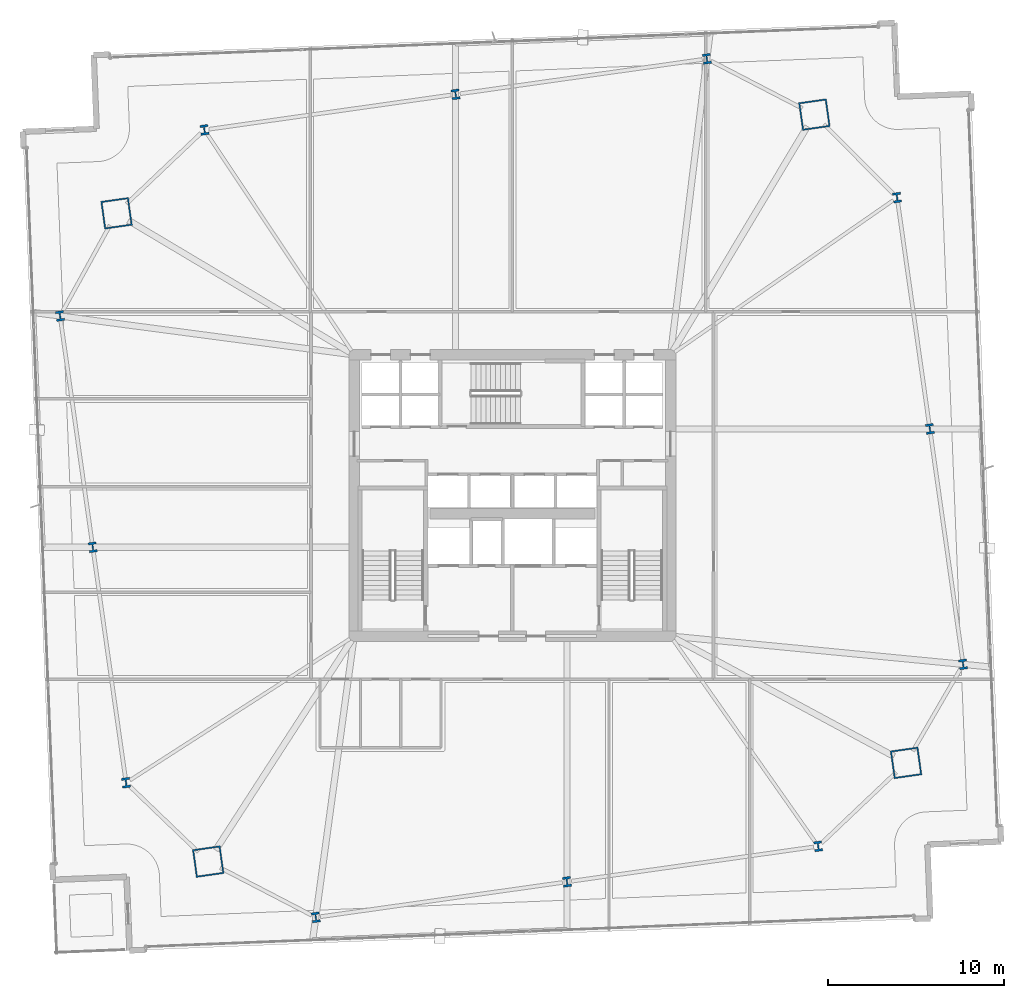
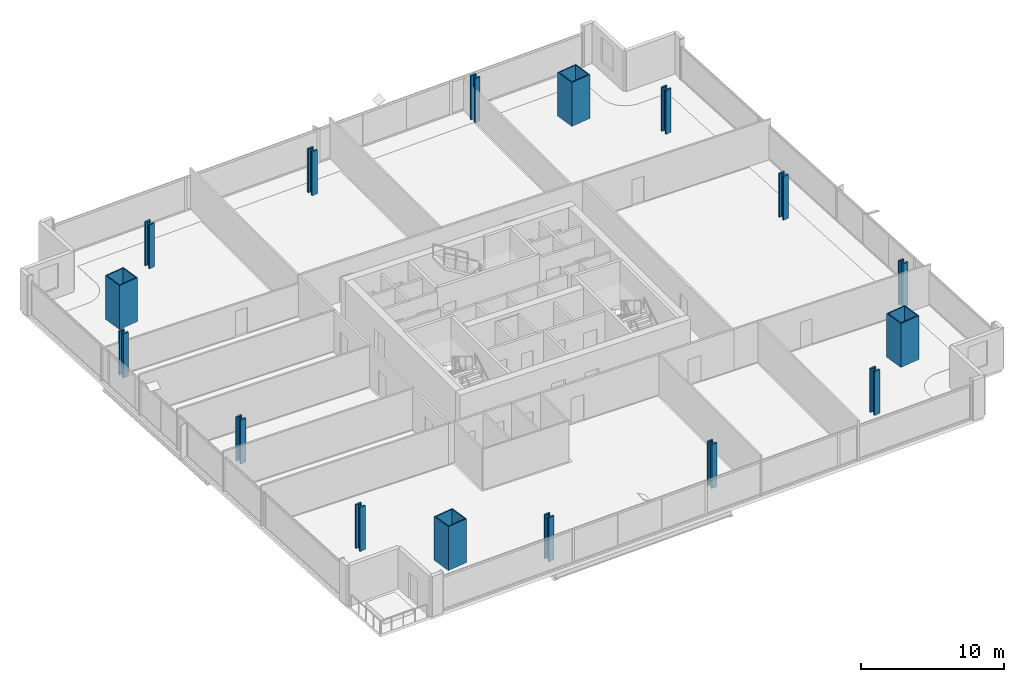
# One storey, part 1 of 32: 16 columns.
"""IFC4 building model written with IfcOpenShell, lengths in metres."""

from ifc_helpers import new_model, si_unit, direction, frame, origin, origin_2d, place, context, subcontext, project, spatial, hollow_rectangle, i_section, extrude, material, material_profile, profile_set, type_object, element, save


model = new_model("IFC4")

# Units and contexts
model_context = context("Model", 3, precision=1e-05, world=origin(), true_north=direction((0.0, 1.0)))
body_context = subcontext(model_context, "Body", "Model", "MODEL_VIEW")
ifc_project = project(units=[si_unit("LENGTHUNIT", "METRE"), si_unit("AREAUNIT", "SQUARE_METRE"), si_unit("VOLUMEUNIT", "CUBIC_METRE"), si_unit("PLANEANGLEUNIT", "RADIAN"), si_unit("MASSUNIT", "GRAM", prefix="KILO")], contexts=[model_context])

# Site, building, storey
site_placement = place(None, origin())
site = spatial("IfcSite", under=ifc_project, at=site_placement, CompositionType="ELEMENT")
building_placement = place(site_placement, origin())
building = spatial("IfcBuilding", under=site, at=building_placement, Name="Haldenkirk Collegiate Tower", CompositionType="ELEMENT")
storey_placement = place(building_placement, frame((0.0, 0.0, 36.449951171875)))
storey = spatial("IfcBuildingStorey", under=building, at=storey_placement, Name="L07", CompositionType="ELEMENT", Elevation=36.449951171875)

# Columns
ifc_material_1 = material(Name="Steel ASTM A913 Grade 65", Category="steel")
ifc_material_profile_1 = material_profile(ifc_material_1, i_section(OverallWidth=0.4541015625, OverallDepth=0.569091796875, WebThickness=0.077880859375, FlangeThickness=0.124755859375, at=origin_2d()), Name="W14X730")
ifc_profile_set_1 = profile_set([ifc_material_profile_1], Name="Steel ASTM A913 Grade 65")
column_type_1 = type_object("IfcColumnType", Name="COL-INT-W14X730", PredefinedType="COLUMN", material=ifc_profile_set_1)
for number, where, z_axis, x_axis, name in (
    (1, (24.815185546875, 1.997314453125, 0.0), (0.0, 0.0, 1.0), (0.990146240249, 0.140037219771, 0.0), "L07 perimeter gravity column PC-S1"),
    (2, (39.10888671875, 4.018798828125, 0.0), (0.0, 0.0, 1.0), (0.990146240249, 0.140037219771, 0.0), "L07 perimeter gravity column PC-S2"),
    (3, (53.402587890625, 6.040283203125, 0.0), (0.0, 0.0, 1.0), (0.990146240249, 0.140037219771, 0.0), "L07 perimeter gravity column PC-S3"),
    (4, (61.648193359375, 16.39306640625, 0.0), (0.0, 0.0, 1.0), (0.990146240249, 0.140037219771, 0.0), "L07 perimeter gravity column PC-E1"),
    (5, (59.75341796875, 29.788818359375, 0.0), (0.0, 0.0, 1.0), (0.990146240249, 0.140037219771, 0.0), "L07 perimeter gravity column PC-E2"),
    (6, (57.892333984375, 42.94873046875, 0.0), (0.0, 0.0, 1.0), (0.990146240249, 0.140037219771, 0.0), "L07 perimeter gravity column PC-E3"),
    (7, (47.06591796875, 50.844482421875, 0.0), (0.0, 0.0, 1.0), (0.990146240249, 0.140037219771, 0.0), "L07 perimeter gravity column PC-N1"),
    (8, (32.772216796875, 48.822998046875, 0.0), (0.0, 0.0, 1.0), (0.990146240249, 0.140037219771, 0.0), "L07 perimeter gravity column PC-N2"),
    (9, (18.478515625, 46.80126953125, 0.0), (0.0, 0.0, 1.0), (0.990146240249, 0.140037219771, 0.0), "L07 perimeter gravity column PC-N3"),
    (10, (10.26611328125, 36.212890625, 0.0), (0.0, 0.0, 1.0), (0.990146240249, 0.140037219771, 0.0), "L07 perimeter gravity column PC-W1"),
    (11, (12.12744140625, 23.052978515625, 0.0), (0.0, 0.0, 1.0), (0.990146240249, 0.140037219771, 0.0), "L07 perimeter gravity column PC-W2"),
    (12, (14.02197265625, 9.6572265625, 0.0), (0.0, 0.0, 1.0), (0.990146240249, 0.140037219771, 0.0), "L07 perimeter gravity column PC-W3"),
):
    element("IfcColumn", number, at=place(storey_placement, frame(where, z_axis=z_axis, x_axis=x_axis)), inside=storey, type_object=column_type_1, Name=name, PredefinedType="COLUMN", context=body_context, shape_type="SweptSolid", body=[
        extrude(i_section(OverallWidth=0.4541015625, OverallDepth=0.569091796875, WebThickness=0.077880859375, FlangeThickness=0.124755859375, at=origin_2d()), origin(), (0.0, 0.0, 1.0), 3.75),
    ])
ifc_material_2 = material(Name="Steel ASTM A572 Grade 50", Category="steel")
ifc_material_profile_2 = material_profile(ifc_material_2, hollow_rectangle(XDim=1.60009765625, YDim=1.60009765625, WallThickness=0.080078125, at=origin_2d()), Name="BOX1600X1600X80")
ifc_profile_set_2 = profile_set([ifc_material_profile_2], Name="Steel ASTM A572 Grade 50")
column_type_2 = type_object("IfcColumnType", Name="COL-MEGA-BOX1600X1600X80", PredefinedType="COLUMN", material=ifc_profile_set_2)
for number, where, z_axis, x_axis, name in (
    (13, (18.6962890625, 5.171630859375, 0.0), (0.0, 0.0, 1.0), (0.990146240249, 0.140037219771, 0.0), "L07 corner mega-column MC1"),
    (14, (58.401123046875, 10.787109375, 0.0), (0.0, 0.0, 1.0), (0.990146240249, 0.140037219771, 0.0), "L07 corner mega-column MC2"),
    (15, (53.184814453125, 47.669921875, 0.0), (0.0, 0.0, 1.0), (0.990146240249, 0.140037219771, 0.0), "L07 corner mega-column MC3"),
    (16, (13.47998046875, 42.054443359375, 0.0), (0.0, 0.0, 1.0), (0.990146240249, 0.140037219771, 0.0), "L07 corner mega-column MC4"),
):
    element("IfcColumn", number, at=place(storey_placement, frame(where, z_axis=z_axis, x_axis=x_axis)), inside=storey, type_object=column_type_2, Name=name, PredefinedType="COLUMN", context=body_context, shape_type="SweptSolid", body=[
        extrude(hollow_rectangle(XDim=1.60009765625, YDim=1.60009765625, WallThickness=0.080078125, at=origin_2d()), origin(), (0.0, 0.0, 1.0), 3.75),
    ])

save(model, "model.ifc")
